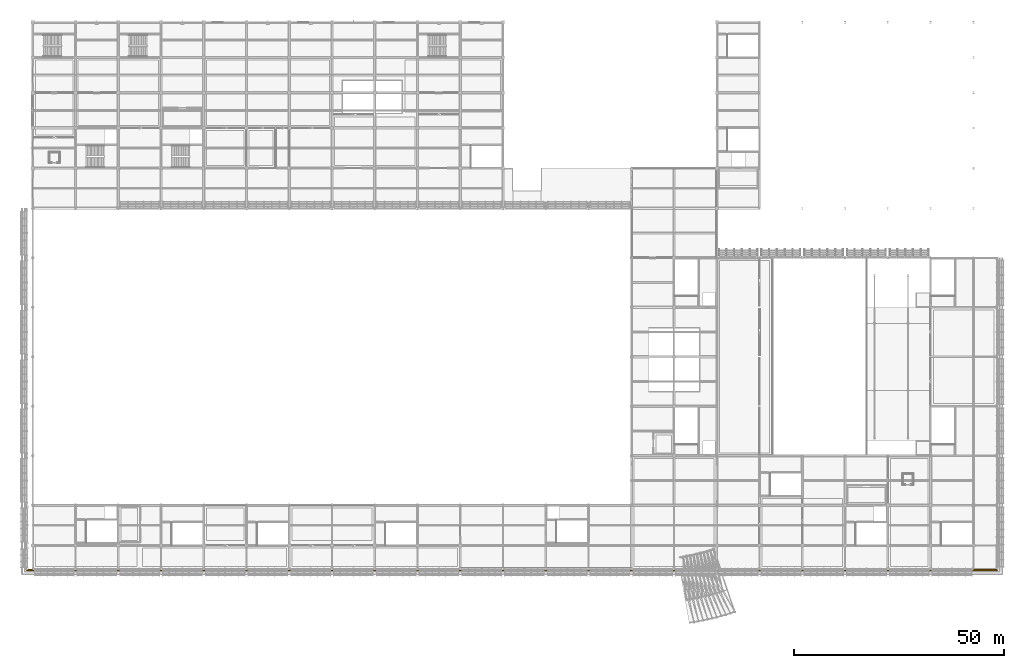
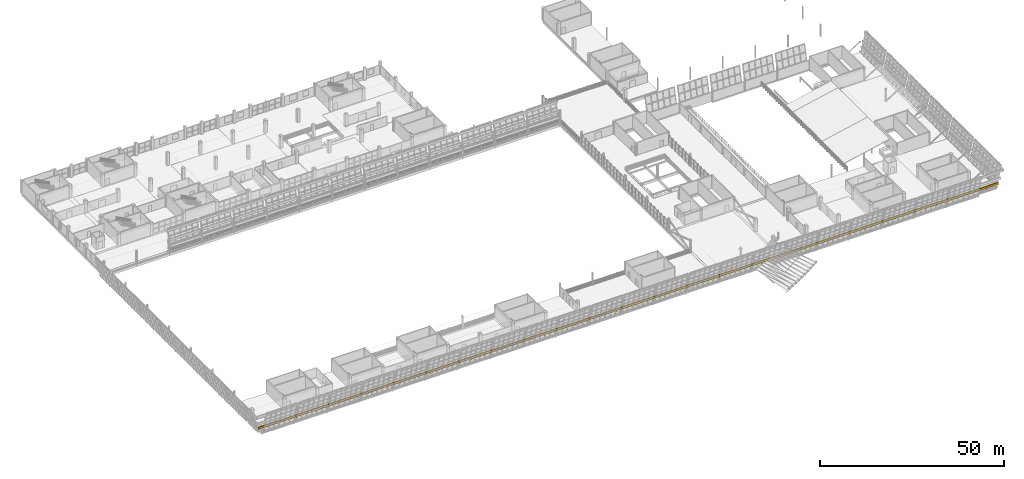
# One storey, part 146 of 157: 1 railing.
"""IFC4 building model written with IfcOpenShell, lengths in metres."""

from ifc_helpers import new_model, si_unit, direction, frame, origin, origin_2d, place, context, subcontext, project, spatial, rectangle, circle, extrude, material, type_object, element, save


model = new_model("IFC4")

# Units and contexts
model_context = context("Model", 3, precision=1e-05, world=origin(), true_north=direction((0.0, 1.0)))
body_context = subcontext(model_context, "Body", "Model", "MODEL_VIEW")
ifc_project = project(units=[si_unit("LENGTHUNIT", "METRE"), si_unit("AREAUNIT", "SQUARE_METRE"), si_unit("VOLUMEUNIT", "CUBIC_METRE"), si_unit("PLANEANGLEUNIT", "RADIAN"), si_unit("MASSUNIT", "GRAM", prefix="KILO")], contexts=[model_context])

# Site, building, storey
site_placement = place(None, origin())
site = spatial("IfcSite", under=ifc_project, at=site_placement, CompositionType="ELEMENT")
building_placement = place(site_placement, origin())
building = spatial("IfcBuilding", under=site, at=building_placement, Name="Brelvane Convention Centre", CompositionType="ELEMENT")
storey_placement = place(building_placement, frame((0.0, 0.0, 10.800048828125)))
storey = spatial("IfcBuildingStorey", under=building, at=storey_placement, Name="L02", CompositionType="ELEMENT", Elevation=10.800048828125)

# Railing
ifc_material = material(Name="Steel E350 (350 MPa)", Category="steel")
railing_type = type_object("IfcRailingType", Name="Railing BL-CU-1", PredefinedType="BALUSTRADE", material=ifc_material)
railing_placement = place(storey_placement, frame((-1.490966796875, 13.34912109375, 0.89990234375)))
element("IfcRailing", 1, at=railing_placement, inside=storey, type_object=railing_type, Name="Railing BL-CU-1 L02-cu_hull_s_4", PredefinedType="BALUSTRADE", context=body_context, shape_type="SweptSolid", body=[
    extrude(rectangle(XDim=0.280029296875, YDim=0.6201171875, at=origin_2d()), frame((0.0, 0.0, 0.81005859375), z_axis=(1.0, 0.0, 0.0), x_axis=(0.0, 1.0, 0.0)), (0.0, 0.0, 1.0), 231.741943359375),
    extrude(circle(Radius=0.02099609375, at=origin_2d()), origin(), (0.0, 0.0, 1.0), 1.072021484375),
    extrude(circle(Radius=0.02099609375, at=origin_2d()), frame((1.194580078125, 0.0, 0.0)), (0.0, 0.0, 1.0), 1.072021484375),
    extrude(circle(Radius=0.02099609375, at=origin_2d()), frame((2.38916015625, 0.0, 0.0)), (0.0, 0.0, 1.0), 1.072021484375),
    extrude(circle(Radius=0.02099609375, at=origin_2d()), frame((3.583740234375, 0.0, 0.0)), (0.0, 0.0, 1.0), 1.072021484375),
    extrude(circle(Radius=0.02099609375, at=origin_2d()), frame((4.778076171875, 0.0, 0.0)), (0.0, 0.0, 1.0), 1.072021484375),
    extrude(circle(Radius=0.02099609375, at=origin_2d()), frame((5.97265625, 0.0, 0.0)), (0.0, 0.0, 1.0), 1.072021484375),
    extrude(circle(Radius=0.02099609375, at=origin_2d()), frame((7.167236328125, 0.0, 0.0)), (0.0, 0.0, 1.0), 1.072021484375),
    extrude(circle(Radius=0.02099609375, at=origin_2d()), frame((8.36181640625, 0.0, 0.0)), (0.0, 0.0, 1.0), 1.072021484375),
    extrude(circle(Radius=0.02099609375, at=origin_2d()), frame((9.556396484375, 0.0, 0.0)), (0.0, 0.0, 1.0), 1.072021484375),
    extrude(circle(Radius=0.02099609375, at=origin_2d()), frame((10.7509765625, 0.0, 0.0)), (0.0, 0.0, 1.0), 1.072021484375),
    extrude(circle(Radius=0.02099609375, at=origin_2d()), frame((11.945556640625, 0.0, 0.0)), (0.0, 0.0, 1.0), 1.072021484375),
    extrude(circle(Radius=0.02099609375, at=origin_2d()), frame((13.139892578125, 0.0, 0.0)), (0.0, 0.0, 1.0), 1.072021484375),
    extrude(circle(Radius=0.02099609375, at=origin_2d()), frame((14.33447265625, 0.0, 0.0)), (0.0, 0.0, 1.0), 1.072021484375),
    extrude(circle(Radius=0.02099609375, at=origin_2d()), frame((15.529052734375, 0.0, 0.0)), (0.0, 0.0, 1.0), 1.072021484375),
    extrude(circle(Radius=0.02099609375, at=origin_2d()), frame((16.7236328125, 0.0, 0.0)), (0.0, 0.0, 1.0), 1.072021484375),
    extrude(circle(Radius=0.02099609375, at=origin_2d()), frame((17.918212890625, 0.0, 0.0)), (0.0, 0.0, 1.0), 1.072021484375),
    extrude(circle(Radius=0.02099609375, at=origin_2d()), frame((19.11279296875, 0.0, 0.0)), (0.0, 0.0, 1.0), 1.072021484375),
    extrude(circle(Radius=0.02099609375, at=origin_2d()), frame((20.307373046875, 0.0, 0.0)), (0.0, 0.0, 1.0), 1.072021484375),
    extrude(circle(Radius=0.02099609375, at=origin_2d()), frame((21.501708984375, 0.0, 0.0)), (0.0, 0.0, 1.0), 1.072021484375),
    extrude(circle(Radius=0.02099609375, at=origin_2d()), frame((22.6962890625, 0.0, 0.0)), (0.0, 0.0, 1.0), 1.072021484375),
    extrude(circle(Radius=0.02099609375, at=origin_2d()), frame((23.890869140625, 0.0, 0.0)), (0.0, 0.0, 1.0), 1.072021484375),
    extrude(circle(Radius=0.02099609375, at=origin_2d()), frame((25.08544921875, 0.0, 0.0)), (0.0, 0.0, 1.0), 1.072021484375),
    extrude(circle(Radius=0.02099609375, at=origin_2d()), frame((26.280029296875, 0.0, 0.0)), (0.0, 0.0, 1.0), 1.072021484375),
    extrude(circle(Radius=0.02099609375, at=origin_2d()), frame((27.474609375, 0.0, 0.0)), (0.0, 0.0, 1.0), 1.072021484375),
    extrude(circle(Radius=0.02099609375, at=origin_2d()), frame((28.669189453125, 0.0, 0.0)), (0.0, 0.0, 1.0), 1.072021484375),
    extrude(circle(Radius=0.02099609375, at=origin_2d()), frame((29.86376953125, 0.0, 0.0)), (0.0, 0.0, 1.0), 1.072021484375),
    extrude(circle(Radius=0.02099609375, at=origin_2d()), frame((31.05810546875, 0.0, 0.0)), (0.0, 0.0, 1.0), 1.072021484375),
    extrude(circle(Radius=0.02099609375, at=origin_2d()), frame((32.252685546875, 0.0, 0.0)), (0.0, 0.0, 1.0), 1.072021484375),
    extrude(circle(Radius=0.02099609375, at=origin_2d()), frame((33.447265625, 0.0, 0.0)), (0.0, 0.0, 1.0), 1.072021484375),
    extrude(circle(Radius=0.02099609375, at=origin_2d()), frame((34.641845703125, 0.0, 0.0)), (0.0, 0.0, 1.0), 1.072021484375),
    extrude(circle(Radius=0.02099609375, at=origin_2d()), frame((35.83642578125, 0.0, 0.0)), (0.0, 0.0, 1.0), 1.072021484375),
    extrude(circle(Radius=0.02099609375, at=origin_2d()), frame((37.031005859375, 0.0, 0.0)), (0.0, 0.0, 1.0), 1.072021484375),
    extrude(circle(Radius=0.02099609375, at=origin_2d()), frame((38.2255859375, 0.0, 0.0)), (0.0, 0.0, 1.0), 1.072021484375),
    extrude(circle(Radius=0.02099609375, at=origin_2d()), frame((39.419921875, 0.0, 0.0)), (0.0, 0.0, 1.0), 1.072021484375),
    extrude(circle(Radius=0.02099609375, at=origin_2d()), frame((40.614501953125, 0.0, 0.0)), (0.0, 0.0, 1.0), 1.072021484375),
    extrude(circle(Radius=0.02099609375, at=origin_2d()), frame((41.80908203125, 0.0, 0.0)), (0.0, 0.0, 1.0), 1.072021484375),
    extrude(circle(Radius=0.02099609375, at=origin_2d()), frame((43.003662109375, 0.0, 0.0)), (0.0, 0.0, 1.0), 1.072021484375),
    extrude(circle(Radius=0.02099609375, at=origin_2d()), frame((44.1982421875, 0.0, 0.0)), (0.0, 0.0, 1.0), 1.072021484375),
    extrude(circle(Radius=0.02099609375, at=origin_2d()), frame((45.392822265625, 0.0, 0.0)), (0.0, 0.0, 1.0), 1.072021484375),
    extrude(circle(Radius=0.02099609375, at=origin_2d()), frame((46.58740234375, 0.0, 0.0)), (0.0, 0.0, 1.0), 1.072021484375),
    extrude(circle(Radius=0.02099609375, at=origin_2d()), frame((47.78173828125, 0.0, 0.0)), (0.0, 0.0, 1.0), 1.072021484375),
    extrude(circle(Radius=0.02099609375, at=origin_2d()), frame((48.976318359375, 0.0, 0.0)), (0.0, 0.0, 1.0), 1.072021484375),
    extrude(circle(Radius=0.02099609375, at=origin_2d()), frame((50.1708984375, 0.0, 0.0)), (0.0, 0.0, 1.0), 1.072021484375),
    extrude(circle(Radius=0.02099609375, at=origin_2d()), frame((51.365478515625, 0.0, 0.0)), (0.0, 0.0, 1.0), 1.072021484375),
    extrude(circle(Radius=0.02099609375, at=origin_2d()), frame((52.56005859375, 0.0, 0.0)), (0.0, 0.0, 1.0), 1.072021484375),
    extrude(circle(Radius=0.02099609375, at=origin_2d()), frame((53.754638671875, 0.0, 0.0)), (0.0, 0.0, 1.0), 1.072021484375),
    extrude(circle(Radius=0.02099609375, at=origin_2d()), frame((54.94921875, 0.0, 0.0)), (0.0, 0.0, 1.0), 1.072021484375),
    extrude(circle(Radius=0.02099609375, at=origin_2d()), frame((56.1435546875, 0.0, 0.0)), (0.0, 0.0, 1.0), 1.072021484375),
    extrude(circle(Radius=0.02099609375, at=origin_2d()), frame((57.338134765625, 0.0, 0.0)), (0.0, 0.0, 1.0), 1.072021484375),
    extrude(circle(Radius=0.02099609375, at=origin_2d()), frame((58.53271484375, 0.0, 0.0)), (0.0, 0.0, 1.0), 1.072021484375),
    extrude(circle(Radius=0.02099609375, at=origin_2d()), frame((59.727294921875, 0.0, 0.0)), (0.0, 0.0, 1.0), 1.072021484375),
    extrude(circle(Radius=0.02099609375, at=origin_2d()), frame((60.921875, 0.0, 0.0)), (0.0, 0.0, 1.0), 1.072021484375),
    extrude(circle(Radius=0.02099609375, at=origin_2d()), frame((62.116455078125, 0.0, 0.0)), (0.0, 0.0, 1.0), 1.072021484375),
    extrude(circle(Radius=0.02099609375, at=origin_2d()), frame((63.31103515625, 0.0, 0.0)), (0.0, 0.0, 1.0), 1.072021484375),
    extrude(circle(Radius=0.02099609375, at=origin_2d()), frame((64.50537109375, 0.0, 0.0)), (0.0, 0.0, 1.0), 1.072021484375),
    extrude(circle(Radius=0.02099609375, at=origin_2d()), frame((65.699951171875, 0.0, 0.0)), (0.0, 0.0, 1.0), 1.072021484375),
    extrude(circle(Radius=0.02099609375, at=origin_2d()), frame((66.89453125, 0.0, 0.0)), (0.0, 0.0, 1.0), 1.072021484375),
    extrude(circle(Radius=0.02099609375, at=origin_2d()), frame((68.089111328125, 0.0, 0.0)), (0.0, 0.0, 1.0), 1.072021484375),
    extrude(circle(Radius=0.02099609375, at=origin_2d()), frame((69.28369140625, 0.0, 0.0)), (0.0, 0.0, 1.0), 1.072021484375),
    extrude(circle(Radius=0.02099609375, at=origin_2d()), frame((70.478271484375, 0.0, 0.0)), (0.0, 0.0, 1.0), 1.072021484375),
    extrude(circle(Radius=0.02099609375, at=origin_2d()), frame((71.6728515625, 0.0, 0.0)), (0.0, 0.0, 1.0), 1.072021484375),
    extrude(circle(Radius=0.02099609375, at=origin_2d()), frame((72.867431640625, 0.0, 0.0)), (0.0, 0.0, 1.0), 1.072021484375),
    extrude(circle(Radius=0.02099609375, at=origin_2d()), frame((74.061767578125, 0.0, 0.0)), (0.0, 0.0, 1.0), 1.072021484375),
    extrude(circle(Radius=0.02099609375, at=origin_2d()), frame((75.25634765625, 0.0, 0.0)), (0.0, 0.0, 1.0), 1.072021484375),
    extrude(circle(Radius=0.02099609375, at=origin_2d()), frame((76.450927734375, 0.0, 0.0)), (0.0, 0.0, 1.0), 1.072021484375),
    extrude(circle(Radius=0.02099609375, at=origin_2d()), frame((77.6455078125, 0.0, 0.0)), (0.0, 0.0, 1.0), 1.072021484375),
    extrude(circle(Radius=0.02099609375, at=origin_2d()), frame((78.840087890625, 0.0, 0.0)), (0.0, 0.0, 1.0), 1.072021484375),
    extrude(circle(Radius=0.02099609375, at=origin_2d()), frame((80.03466796875, 0.0, 0.0)), (0.0, 0.0, 1.0), 1.072021484375),
    extrude(circle(Radius=0.02099609375, at=origin_2d()), frame((81.229248046875, 0.0, 0.0)), (0.0, 0.0, 1.0), 1.072021484375),
    extrude(circle(Radius=0.02099609375, at=origin_2d()), frame((82.423583984375, 0.0, 0.0)), (0.0, 0.0, 1.0), 1.072021484375),
    extrude(circle(Radius=0.02099609375, at=origin_2d()), frame((83.6181640625, 0.0, 0.0)), (0.0, 0.0, 1.0), 1.072021484375),
    extrude(circle(Radius=0.02099609375, at=origin_2d()), frame((84.812744140625, 0.0, 0.0)), (0.0, 0.0, 1.0), 1.072021484375),
    extrude(circle(Radius=0.02099609375, at=origin_2d()), frame((86.00732421875, 0.0, 0.0)), (0.0, 0.0, 1.0), 1.072021484375),
    extrude(circle(Radius=0.02099609375, at=origin_2d()), frame((87.201904296875, 0.0, 0.0)), (0.0, 0.0, 1.0), 1.072021484375),
    extrude(circle(Radius=0.02099609375, at=origin_2d()), frame((88.396484375, 0.0, 0.0)), (0.0, 0.0, 1.0), 1.072021484375),
    extrude(circle(Radius=0.02099609375, at=origin_2d()), frame((89.591064453125, 0.0, 0.0)), (0.0, 0.0, 1.0), 1.072021484375),
    extrude(circle(Radius=0.02099609375, at=origin_2d()), frame((90.785400390625, 0.0, 0.0)), (0.0, 0.0, 1.0), 1.072021484375),
    extrude(circle(Radius=0.02099609375, at=origin_2d()), frame((91.97998046875, 0.0, 0.0)), (0.0, 0.0, 1.0), 1.072021484375),
    extrude(circle(Radius=0.02099609375, at=origin_2d()), frame((93.174560546875, 0.0, 0.0)), (0.0, 0.0, 1.0), 1.072021484375),
    extrude(circle(Radius=0.02099609375, at=origin_2d()), frame((94.369140625, 0.0, 0.0)), (0.0, 0.0, 1.0), 1.072021484375),
    extrude(circle(Radius=0.02099609375, at=origin_2d()), frame((95.563720703125, 0.0, 0.0)), (0.0, 0.0, 1.0), 1.072021484375),
    extrude(circle(Radius=0.02099609375, at=origin_2d()), frame((96.75830078125, 0.0, 0.0)), (0.0, 0.0, 1.0), 1.072021484375),
    extrude(circle(Radius=0.02099609375, at=origin_2d()), frame((97.952880859375, 0.0, 0.0)), (0.0, 0.0, 1.0), 1.072021484375),
    extrude(circle(Radius=0.02099609375, at=origin_2d()), frame((99.147216796875, 0.0, 0.0)), (0.0, 0.0, 1.0), 1.072021484375),
    extrude(circle(Radius=0.02099609375, at=origin_2d()), frame((100.341796875, 0.0, 0.0)), (0.0, 0.0, 1.0), 1.072021484375),
    extrude(circle(Radius=0.02099609375, at=origin_2d()), frame((101.536376953125, 0.0, 0.0)), (0.0, 0.0, 1.0), 1.072021484375),
    extrude(circle(Radius=0.02099609375, at=origin_2d()), frame((102.73095703125, 0.0, 0.0)), (0.0, 0.0, 1.0), 1.072021484375),
    extrude(circle(Radius=0.02099609375, at=origin_2d()), frame((103.925537109375, 0.0, 0.0)), (0.0, 0.0, 1.0), 1.072021484375),
    extrude(circle(Radius=0.02099609375, at=origin_2d()), frame((105.1201171875, 0.0, 0.0)), (0.0, 0.0, 1.0), 1.072021484375),
    extrude(circle(Radius=0.02099609375, at=origin_2d()), frame((106.314697265625, 0.0, 0.0)), (0.0, 0.0, 1.0), 1.072021484375),
    extrude(circle(Radius=0.02099609375, at=origin_2d()), frame((107.509033203125, 0.0, 0.0)), (0.0, 0.0, 1.0), 1.072021484375),
    extrude(circle(Radius=0.02099609375, at=origin_2d()), frame((108.70361328125, 0.0, 0.0)), (0.0, 0.0, 1.0), 1.072021484375),
    extrude(circle(Radius=0.02099609375, at=origin_2d()), frame((109.898193359375, 0.0, 0.0)), (0.0, 0.0, 1.0), 1.072021484375),
    extrude(circle(Radius=0.02099609375, at=origin_2d()), frame((111.0927734375, 0.0, 0.0)), (0.0, 0.0, 1.0), 1.072021484375),
    extrude(circle(Radius=0.02099609375, at=origin_2d()), frame((112.287353515625, 0.0, 0.0)), (0.0, 0.0, 1.0), 1.072021484375),
    extrude(circle(Radius=0.02099609375, at=origin_2d()), frame((113.48193359375, 0.0, 0.0)), (0.0, 0.0, 1.0), 1.072021484375),
    extrude(circle(Radius=0.02099609375, at=origin_2d()), frame((114.676513671875, 0.0, 0.0)), (0.0, 0.0, 1.0), 1.072021484375),
    extrude(circle(Radius=0.02099609375, at=origin_2d()), frame((115.87109375, 0.0, 0.0)), (0.0, 0.0, 1.0), 1.072021484375),
    extrude(circle(Radius=0.02099609375, at=origin_2d()), frame((117.0654296875, 0.0, 0.0)), (0.0, 0.0, 1.0), 1.072021484375),
    extrude(circle(Radius=0.02099609375, at=origin_2d()), frame((118.260009765625, 0.0, 0.0)), (0.0, 0.0, 1.0), 1.072021484375),
    extrude(circle(Radius=0.02099609375, at=origin_2d()), frame((119.45458984375, 0.0, 0.0)), (0.0, 0.0, 1.0), 1.072021484375),
    extrude(circle(Radius=0.02099609375, at=origin_2d()), frame((120.649169921875, 0.0, 0.0)), (0.0, 0.0, 1.0), 1.072021484375),
    extrude(circle(Radius=0.02099609375, at=origin_2d()), frame((121.84375, 0.0, 0.0)), (0.0, 0.0, 1.0), 1.072021484375),
    extrude(circle(Radius=0.02099609375, at=origin_2d()), frame((123.038330078125, 0.0, 0.0)), (0.0, 0.0, 1.0), 1.072021484375),
    extrude(circle(Radius=0.02099609375, at=origin_2d()), frame((124.23291015625, 0.0, 0.0)), (0.0, 0.0, 1.0), 1.072021484375),
    extrude(circle(Radius=0.02099609375, at=origin_2d()), frame((125.42724609375, 0.0, 0.0)), (0.0, 0.0, 1.0), 1.072021484375),
    extrude(circle(Radius=0.02099609375, at=origin_2d()), frame((126.621826171875, 0.0, 0.0)), (0.0, 0.0, 1.0), 1.072021484375),
    extrude(circle(Radius=0.02099609375, at=origin_2d()), frame((127.81640625, 0.0, 0.0)), (0.0, 0.0, 1.0), 1.072021484375),
    extrude(circle(Radius=0.02099609375, at=origin_2d()), frame((129.010986328125, 0.0, 0.0)), (0.0, 0.0, 1.0), 1.072021484375),
    extrude(circle(Radius=0.02099609375, at=origin_2d()), frame((130.20556640625, 0.0, 0.0)), (0.0, 0.0, 1.0), 1.072021484375),
    extrude(circle(Radius=0.02099609375, at=origin_2d()), frame((131.400146484375, 0.0, 0.0)), (0.0, 0.0, 1.0), 1.072021484375),
    extrude(circle(Radius=0.02099609375, at=origin_2d()), frame((132.5947265625, 0.0, 0.0)), (0.0, 0.0, 1.0), 1.072021484375),
    extrude(circle(Radius=0.02099609375, at=origin_2d()), frame((133.7890625, 0.0, 0.0)), (0.0, 0.0, 1.0), 1.072021484375),
    extrude(circle(Radius=0.02099609375, at=origin_2d()), frame((134.983642578125, 0.0, 0.0)), (0.0, 0.0, 1.0), 1.072021484375),
    extrude(circle(Radius=0.02099609375, at=origin_2d()), frame((136.17822265625, 0.0, 0.0)), (0.0, 0.0, 1.0), 1.072021484375),
    extrude(circle(Radius=0.02099609375, at=origin_2d()), frame((137.372802734375, 0.0, 0.0)), (0.0, 0.0, 1.0), 1.072021484375),
    extrude(circle(Radius=0.02099609375, at=origin_2d()), frame((138.5673828125, 0.0, 0.0)), (0.0, 0.0, 1.0), 1.072021484375),
    extrude(circle(Radius=0.02099609375, at=origin_2d()), frame((139.761962890625, 0.0, 0.0)), (0.0, 0.0, 1.0), 1.072021484375),
    extrude(circle(Radius=0.02099609375, at=origin_2d()), frame((140.95654296875, 0.0, 0.0)), (0.0, 0.0, 1.0), 1.072021484375),
    extrude(circle(Radius=0.02099609375, at=origin_2d()), frame((142.15087890625, 0.0, 0.0)), (0.0, 0.0, 1.0), 1.072021484375),
    extrude(circle(Radius=0.02099609375, at=origin_2d()), frame((143.345458984375, 0.0, 0.0)), (0.0, 0.0, 1.0), 1.072021484375),
    extrude(circle(Radius=0.02099609375, at=origin_2d()), frame((144.5400390625, 0.0, 0.0)), (0.0, 0.0, 1.0), 1.072021484375),
    extrude(circle(Radius=0.02099609375, at=origin_2d()), frame((145.734619140625, 0.0, 0.0)), (0.0, 0.0, 1.0), 1.072021484375),
    extrude(circle(Radius=0.02099609375, at=origin_2d()), frame((146.92919921875, 0.0, 0.0)), (0.0, 0.0, 1.0), 1.072021484375),
    extrude(circle(Radius=0.02099609375, at=origin_2d()), frame((148.123779296875, 0.0, 0.0)), (0.0, 0.0, 1.0), 1.072021484375),
    extrude(circle(Radius=0.02099609375, at=origin_2d()), frame((149.318359375, 0.0, 0.0)), (0.0, 0.0, 1.0), 1.072021484375),
    extrude(circle(Radius=0.02099609375, at=origin_2d()), frame((150.5126953125, 0.0, 0.0)), (0.0, 0.0, 1.0), 1.072021484375),
    extrude(circle(Radius=0.02099609375, at=origin_2d()), frame((151.707275390625, 0.0, 0.0)), (0.0, 0.0, 1.0), 1.072021484375),
    extrude(circle(Radius=0.02099609375, at=origin_2d()), frame((152.90185546875, 0.0, 0.0)), (0.0, 0.0, 1.0), 1.072021484375),
    extrude(circle(Radius=0.02099609375, at=origin_2d()), frame((154.096435546875, 0.0, 0.0)), (0.0, 0.0, 1.0), 1.072021484375),
    extrude(circle(Radius=0.02099609375, at=origin_2d()), frame((155.291015625, 0.0, 0.0)), (0.0, 0.0, 1.0), 1.072021484375),
    extrude(circle(Radius=0.02099609375, at=origin_2d()), frame((156.485595703125, 0.0, 0.0)), (0.0, 0.0, 1.0), 1.072021484375),
    extrude(circle(Radius=0.02099609375, at=origin_2d()), frame((157.68017578125, 0.0, 0.0)), (0.0, 0.0, 1.0), 1.072021484375),
    extrude(circle(Radius=0.02099609375, at=origin_2d()), frame((158.87451171875, 0.0, 0.0)), (0.0, 0.0, 1.0), 1.072021484375),
    extrude(circle(Radius=0.02099609375, at=origin_2d()), frame((160.069091796875, 0.0, 0.0)), (0.0, 0.0, 1.0), 1.072021484375),
    extrude(circle(Radius=0.02099609375, at=origin_2d()), frame((161.263671875, 0.0, 0.0)), (0.0, 0.0, 1.0), 1.072021484375),
    extrude(circle(Radius=0.02099609375, at=origin_2d()), frame((162.458251953125, 0.0, 0.0)), (0.0, 0.0, 1.0), 1.072021484375),
    extrude(circle(Radius=0.02099609375, at=origin_2d()), frame((163.65283203125, 0.0, 0.0)), (0.0, 0.0, 1.0), 1.072021484375),
    extrude(circle(Radius=0.02099609375, at=origin_2d()), frame((164.847412109375, 0.0, 0.0)), (0.0, 0.0, 1.0), 1.072021484375),
    extrude(circle(Radius=0.02099609375, at=origin_2d()), frame((166.0419921875, 0.0, 0.0)), (0.0, 0.0, 1.0), 1.072021484375),
    extrude(circle(Radius=0.02099609375, at=origin_2d()), frame((167.236572265625, 0.0, 0.0)), (0.0, 0.0, 1.0), 1.072021484375),
    extrude(circle(Radius=0.02099609375, at=origin_2d()), frame((168.430908203125, 0.0, 0.0)), (0.0, 0.0, 1.0), 1.072021484375),
    extrude(circle(Radius=0.02099609375, at=origin_2d()), frame((169.62548828125, 0.0, 0.0)), (0.0, 0.0, 1.0), 1.072021484375),
    extrude(circle(Radius=0.02099609375, at=origin_2d()), frame((170.820068359375, 0.0, 0.0)), (0.0, 0.0, 1.0), 1.072021484375),
    extrude(circle(Radius=0.02099609375, at=origin_2d()), frame((172.0146484375, 0.0, 0.0)), (0.0, 0.0, 1.0), 1.072021484375),
    extrude(circle(Radius=0.02099609375, at=origin_2d()), frame((173.209228515625, 0.0, 0.0)), (0.0, 0.0, 1.0), 1.072021484375),
    extrude(circle(Radius=0.02099609375, at=origin_2d()), frame((174.40380859375, 0.0, 0.0)), (0.0, 0.0, 1.0), 1.072021484375),
    extrude(circle(Radius=0.02099609375, at=origin_2d()), frame((175.598388671875, 0.0, 0.0)), (0.0, 0.0, 1.0), 1.072021484375),
    extrude(circle(Radius=0.02099609375, at=origin_2d()), frame((176.792724609375, 0.0, 0.0)), (0.0, 0.0, 1.0), 1.072021484375),
    extrude(circle(Radius=0.02099609375, at=origin_2d()), frame((177.9873046875, 0.0, 0.0)), (0.0, 0.0, 1.0), 1.072021484375),
    extrude(circle(Radius=0.02099609375, at=origin_2d()), frame((179.181884765625, 0.0, 0.0)), (0.0, 0.0, 1.0), 1.072021484375),
    extrude(circle(Radius=0.02099609375, at=origin_2d()), frame((180.37646484375, 0.0, 0.0)), (0.0, 0.0, 1.0), 1.072021484375),
    extrude(circle(Radius=0.02099609375, at=origin_2d()), frame((181.571044921875, 0.0, 0.0)), (0.0, 0.0, 1.0), 1.072021484375),
    extrude(circle(Radius=0.02099609375, at=origin_2d()), frame((182.765625, 0.0, 0.0)), (0.0, 0.0, 1.0), 1.072021484375),
    extrude(circle(Radius=0.02099609375, at=origin_2d()), frame((183.960205078125, 0.0, 0.0)), (0.0, 0.0, 1.0), 1.072021484375),
    extrude(circle(Radius=0.02099609375, at=origin_2d()), frame((185.154541015625, 0.0, 0.0)), (0.0, 0.0, 1.0), 1.072021484375),
    extrude(circle(Radius=0.02099609375, at=origin_2d()), frame((186.34912109375, 0.0, 0.0)), (0.0, 0.0, 1.0), 1.072021484375),
    extrude(circle(Radius=0.02099609375, at=origin_2d()), frame((187.543701171875, 0.0, 0.0)), (0.0, 0.0, 1.0), 1.072021484375),
    extrude(circle(Radius=0.02099609375, at=origin_2d()), frame((188.73828125, 0.0, 0.0)), (0.0, 0.0, 1.0), 1.072021484375),
    extrude(circle(Radius=0.02099609375, at=origin_2d()), frame((189.932861328125, 0.0, 0.0)), (0.0, 0.0, 1.0), 1.072021484375),
    extrude(circle(Radius=0.02099609375, at=origin_2d()), frame((191.12744140625, 0.0, 0.0)), (0.0, 0.0, 1.0), 1.072021484375),
    extrude(circle(Radius=0.02099609375, at=origin_2d()), frame((192.322021484375, 0.0, 0.0)), (0.0, 0.0, 1.0), 1.072021484375),
    extrude(circle(Radius=0.02099609375, at=origin_2d()), frame((193.516357421875, 0.0, 0.0)), (0.0, 0.0, 1.0), 1.072021484375),
    extrude(circle(Radius=0.02099609375, at=origin_2d()), frame((194.7109375, 0.0, 0.0)), (0.0, 0.0, 1.0), 1.072021484375),
    extrude(circle(Radius=0.02099609375, at=origin_2d()), frame((195.905517578125, 0.0, 0.0)), (0.0, 0.0, 1.0), 1.072021484375),
    extrude(circle(Radius=0.02099609375, at=origin_2d()), frame((197.10009765625, 0.0, 0.0)), (0.0, 0.0, 1.0), 1.072021484375),
    extrude(circle(Radius=0.02099609375, at=origin_2d()), frame((198.294677734375, 0.0, 0.0)), (0.0, 0.0, 1.0), 1.072021484375),
    extrude(circle(Radius=0.02099609375, at=origin_2d()), frame((199.4892578125, 0.0, 0.0)), (0.0, 0.0, 1.0), 1.072021484375),
    extrude(circle(Radius=0.02099609375, at=origin_2d()), frame((200.683837890625, 0.0, 0.0)), (0.0, 0.0, 1.0), 1.072021484375),
    extrude(circle(Radius=0.02099609375, at=origin_2d()), frame((201.878173828125, 0.0, 0.0)), (0.0, 0.0, 1.0), 1.072021484375),
    extrude(circle(Radius=0.02099609375, at=origin_2d()), frame((203.07275390625, 0.0, 0.0)), (0.0, 0.0, 1.0), 1.072021484375),
    extrude(circle(Radius=0.02099609375, at=origin_2d()), frame((204.267333984375, 0.0, 0.0)), (0.0, 0.0, 1.0), 1.072021484375),
    extrude(circle(Radius=0.02099609375, at=origin_2d()), frame((205.4619140625, 0.0, 0.0)), (0.0, 0.0, 1.0), 1.072021484375),
    extrude(circle(Radius=0.02099609375, at=origin_2d()), frame((206.656494140625, 0.0, 0.0)), (0.0, 0.0, 1.0), 1.072021484375),
    extrude(circle(Radius=0.02099609375, at=origin_2d()), frame((207.85107421875, 0.0, 0.0)), (0.0, 0.0, 1.0), 1.072021484375),
    extrude(circle(Radius=0.02099609375, at=origin_2d()), frame((209.045654296875, 0.0, 0.0)), (0.0, 0.0, 1.0), 1.072021484375),
    extrude(circle(Radius=0.02099609375, at=origin_2d()), frame((210.240234375, 0.0, 0.0)), (0.0, 0.0, 1.0), 1.072021484375),
    extrude(circle(Radius=0.02099609375, at=origin_2d()), frame((211.4345703125, 0.0, 0.0)), (0.0, 0.0, 1.0), 1.072021484375),
    extrude(circle(Radius=0.02099609375, at=origin_2d()), frame((212.629150390625, 0.0, 0.0)), (0.0, 0.0, 1.0), 1.072021484375),
    extrude(circle(Radius=0.02099609375, at=origin_2d()), frame((213.82373046875, 0.0, 0.0)), (0.0, 0.0, 1.0), 1.072021484375),
    extrude(circle(Radius=0.02099609375, at=origin_2d()), frame((215.018310546875, 0.0, 0.0)), (0.0, 0.0, 1.0), 1.072021484375),
    extrude(circle(Radius=0.02099609375, at=origin_2d()), frame((216.212890625, 0.0, 0.0)), (0.0, 0.0, 1.0), 1.072021484375),
    extrude(circle(Radius=0.02099609375, at=origin_2d()), frame((217.407470703125, 0.0, 0.0)), (0.0, 0.0, 1.0), 1.072021484375),
    extrude(circle(Radius=0.02099609375, at=origin_2d()), frame((218.60205078125, 0.0, 0.0)), (0.0, 0.0, 1.0), 1.072021484375),
    extrude(circle(Radius=0.02099609375, at=origin_2d()), frame((219.79638671875, 0.0, 0.0)), (0.0, 0.0, 1.0), 1.072021484375),
    extrude(circle(Radius=0.02099609375, at=origin_2d()), frame((220.990966796875, 0.0, 0.0)), (0.0, 0.0, 1.0), 1.072021484375),
    extrude(circle(Radius=0.02099609375, at=origin_2d()), frame((222.185546875, 0.0, 0.0)), (0.0, 0.0, 1.0), 1.072021484375),
    extrude(circle(Radius=0.02099609375, at=origin_2d()), frame((223.380126953125, 0.0, 0.0)), (0.0, 0.0, 1.0), 1.072021484375),
    extrude(circle(Radius=0.02099609375, at=origin_2d()), frame((224.57470703125, 0.0, 0.0)), (0.0, 0.0, 1.0), 1.072021484375),
    extrude(circle(Radius=0.02099609375, at=origin_2d()), frame((225.769287109375, 0.0, 0.0)), (0.0, 0.0, 1.0), 1.072021484375),
    extrude(circle(Radius=0.02099609375, at=origin_2d()), frame((226.9638671875, 0.0, 0.0)), (0.0, 0.0, 1.0), 1.072021484375),
    extrude(circle(Radius=0.02099609375, at=origin_2d()), frame((228.158203125, 0.0, 0.0)), (0.0, 0.0, 1.0), 1.072021484375),
    extrude(circle(Radius=0.02099609375, at=origin_2d()), frame((229.352783203125, 0.0, 0.0)), (0.0, 0.0, 1.0), 1.072021484375),
    extrude(circle(Radius=0.02099609375, at=origin_2d()), frame((230.54736328125, 0.0, 0.0)), (0.0, 0.0, 1.0), 1.072021484375),
    extrude(circle(Radius=0.02099609375, at=origin_2d()), frame((231.741943359375, 0.0, 0.0)), (0.0, 0.0, 1.0), 1.072021484375),
])

save(model, "model.ifc")
